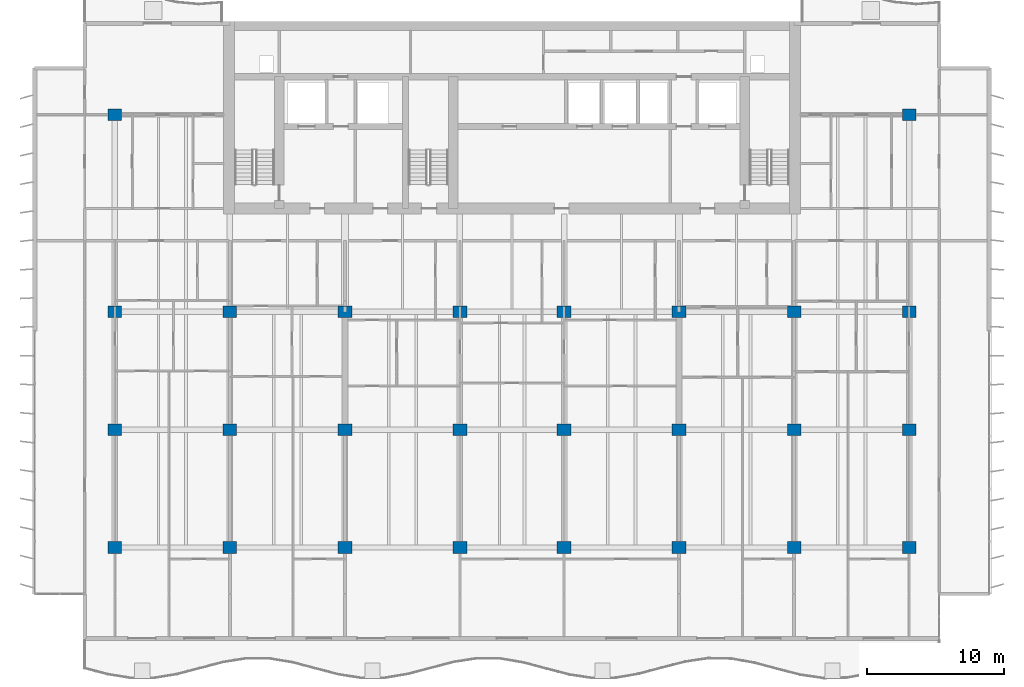
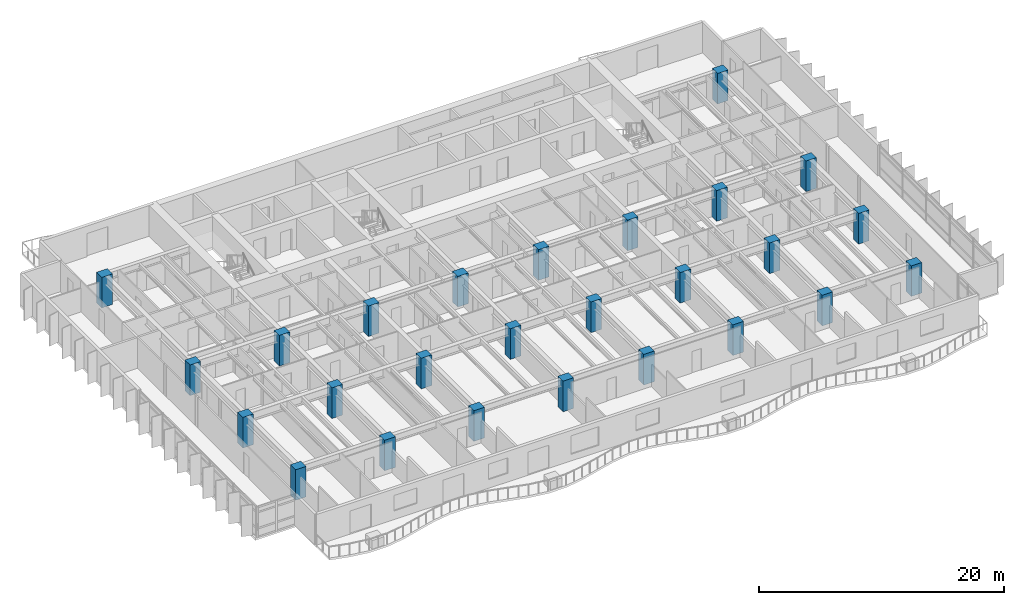
# One storey, part 1 of 16: 26 columns.
"""IFC4 building model written with IfcOpenShell, lengths in metres."""

from ifc_helpers import new_model, si_unit, direction, frame, origin, origin_2d, place, context, subcontext, project, spatial, rectangle, extrude, material, material_profile, profile_set, type_object, element, save


model = new_model("IFC4")

# Units and contexts
model_context = context("Model", 3, precision=1e-05, world=origin(), true_north=direction((0.0, 1.0)))
body_context = subcontext(model_context, "Body", "Model", "MODEL_VIEW")
ifc_project = project(units=[si_unit("LENGTHUNIT", "METRE"), si_unit("AREAUNIT", "SQUARE_METRE"), si_unit("VOLUMEUNIT", "CUBIC_METRE"), si_unit("PLANEANGLEUNIT", "RADIAN"), si_unit("MASSUNIT", "GRAM", prefix="KILO")], contexts=[model_context])

# Site, building, storey
site_placement = place(None, origin())
site = spatial("IfcSite", under=ifc_project, at=site_placement, CompositionType="ELEMENT")
building_placement = place(site_placement, origin())
building = spatial("IfcBuilding", under=site, at=building_placement, Name="Caelmar Bay Residences", CompositionType="ELEMENT")
storey_placement = place(building_placement, frame((0.0, 0.0, 102.60009765625)))
storey = spatial("IfcBuildingStorey", under=building, at=storey_placement, Name="L27", CompositionType="ELEMENT", Elevation=102.60009765625)

# Columns
ifc_material = material(Name="Concrete f'c 70 MPa (10,000 psi)", Category="concrete")
ifc_material_profile = material_profile(ifc_material, rectangle(XDim=1.0, YDim=0.85009765625, at=origin_2d()), Name="RC-COL-1000X850")
ifc_profile_set = profile_set([ifc_material_profile], Name="Concrete f'c 70 MPa (10,000 psi)")
column_type = type_object("IfcColumnType", Name="COL-RC-1000X850", PredefinedType="COLUMN", material=ifc_profile_set)
for number, where, z_axis, x_axis, name in (
    (1, (9.89990234375, 12.199951171875, 0.0), (0.0, 0.0, 1.0), (1.0, 0.0, 0.0), "L27 Column (9.90,12.20)"),
    (2, (18.300048828125, 12.199951171875, 0.0), (0.0, 0.0, 1.0), (1.0, 0.0, 0.0), "L27 Column (18.30,12.20)"),
    (3, (26.699951171875, 12.199951171875, 0.0), (0.0, 0.0, 1.0), (1.0, 0.0, 0.0), "L27 Column (26.70,12.20)"),
    (4, (35.10009765625, 12.199951171875, 0.0), (0.0, 0.0, 1.0), (1.0, 0.0, 0.0), "L27 Column (35.10,12.20)"),
    (5, (42.699951171875, 12.199951171875, 0.0), (0.0, 0.0, 1.0), (1.0, 0.0, 0.0), "L27 Column (42.70,12.20)"),
    (6, (51.10009765625, 12.199951171875, 0.0), (0.0, 0.0, 1.0), (1.0, 0.0, 0.0), "L27 Column (51.10,12.20)"),
    (7, (59.5, 12.199951171875, 0.0), (0.0, 0.0, 1.0), (1.0, 0.0, 0.0), "L27 Column (59.50,12.20)"),
    (8, (67.89990234375, 12.199951171875, 0.0), (0.0, 0.0, 1.0), (1.0, 0.0, 0.0), "L27 Column (67.90,12.20)"),
    (9, (9.89990234375, 20.800048828125, 0.0), (0.0, 0.0, 1.0), (1.0, 0.0, 0.0), "L27 Column (9.90,20.80)"),
    (10, (18.300048828125, 20.800048828125, 0.0), (0.0, 0.0, 1.0), (1.0, 0.0, 0.0), "L27 Column (18.30,20.80)"),
    (11, (26.699951171875, 20.800048828125, 0.0), (0.0, 0.0, 1.0), (1.0, 0.0, 0.0), "L27 Column (26.70,20.80)"),
    (12, (35.10009765625, 20.800048828125, 0.0), (0.0, 0.0, 1.0), (1.0, 0.0, 0.0), "L27 Column (35.10,20.80)"),
    (13, (42.699951171875, 20.800048828125, 0.0), (0.0, 0.0, 1.0), (1.0, 0.0, 0.0), "L27 Column (42.70,20.80)"),
    (14, (51.10009765625, 20.800048828125, 0.0), (0.0, 0.0, 1.0), (1.0, 0.0, 0.0), "L27 Column (51.10,20.80)"),
    (15, (59.5, 20.800048828125, 0.0), (0.0, 0.0, 1.0), (1.0, 0.0, 0.0), "L27 Column (59.50,20.80)"),
    (16, (67.89990234375, 20.800048828125, 0.0), (0.0, 0.0, 1.0), (1.0, 0.0, 0.0), "L27 Column (67.90,20.80)"),
    (17, (9.89990234375, 29.39990234375, 0.0), (0.0, 0.0, 1.0), (1.0, 0.0, 0.0), "L27 Column (9.90,29.40)"),
    (18, (18.300048828125, 29.39990234375, 0.0), (0.0, 0.0, 1.0), (1.0, 0.0, 0.0), "L27 Column (18.30,29.40)"),
    (19, (26.699951171875, 29.39990234375, 0.0), (0.0, 0.0, 1.0), (1.0, 0.0, 0.0), "L27 Column (26.70,29.40)"),
    (20, (35.10009765625, 29.39990234375, 0.0), (0.0, 0.0, 1.0), (1.0, 0.0, 0.0), "L27 Column (35.10,29.40)"),
    (21, (42.699951171875, 29.39990234375, 0.0), (0.0, 0.0, 1.0), (1.0, 0.0, 0.0), "L27 Column (42.70,29.40)"),
    (22, (51.10009765625, 29.39990234375, 0.0), (0.0, 0.0, 1.0), (1.0, 0.0, 0.0), "L27 Column (51.10,29.40)"),
    (23, (59.5, 29.39990234375, 0.0), (0.0, 0.0, 1.0), (1.0, 0.0, 0.0), "L27 Column (59.50,29.40)"),
    (24, (67.89990234375, 29.39990234375, 0.0), (0.0, 0.0, 1.0), (1.0, 0.0, 0.0), "L27 Column (67.90,29.40)"),
    (25, (9.89990234375, 43.800048828125, 0.0), (0.0, 0.0, 1.0), (1.0, 0.0, 0.0), "L27 Column (9.90,43.80)"),
    (26, (67.89990234375, 43.800048828125, 0.0), (0.0, 0.0, 1.0), (1.0, 0.0, 0.0), "L27 Column (67.90,43.80)"),
):
    element("IfcColumn", number, at=place(storey_placement, frame(where, z_axis=z_axis, x_axis=x_axis)), inside=storey, type_object=column_type, Name=name, PredefinedType="COLUMN", context=body_context, shape_type="SweptSolid", body=[
        extrude(rectangle(XDim=1.0, YDim=0.85009765625, at=origin_2d()), origin(), (0.0, 0.0, 1.0), 3.0498046875),
    ])

save(model, "model.ifc")
